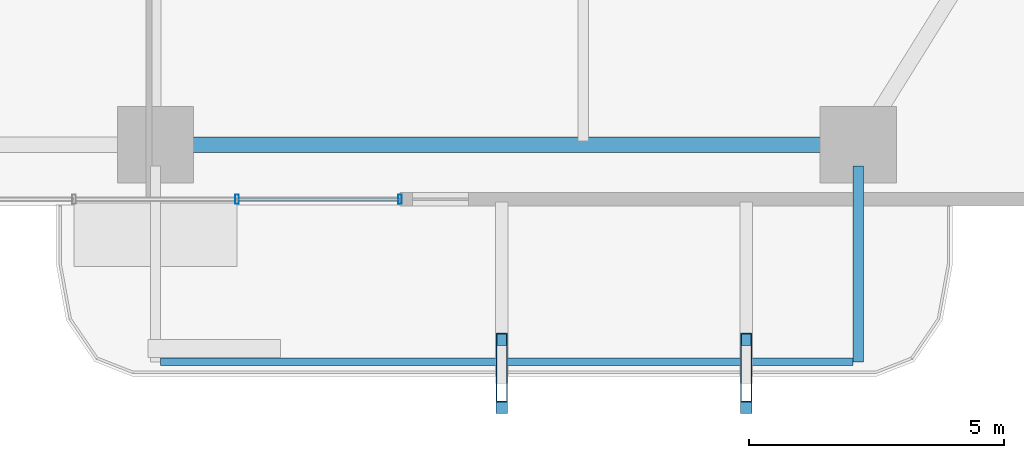
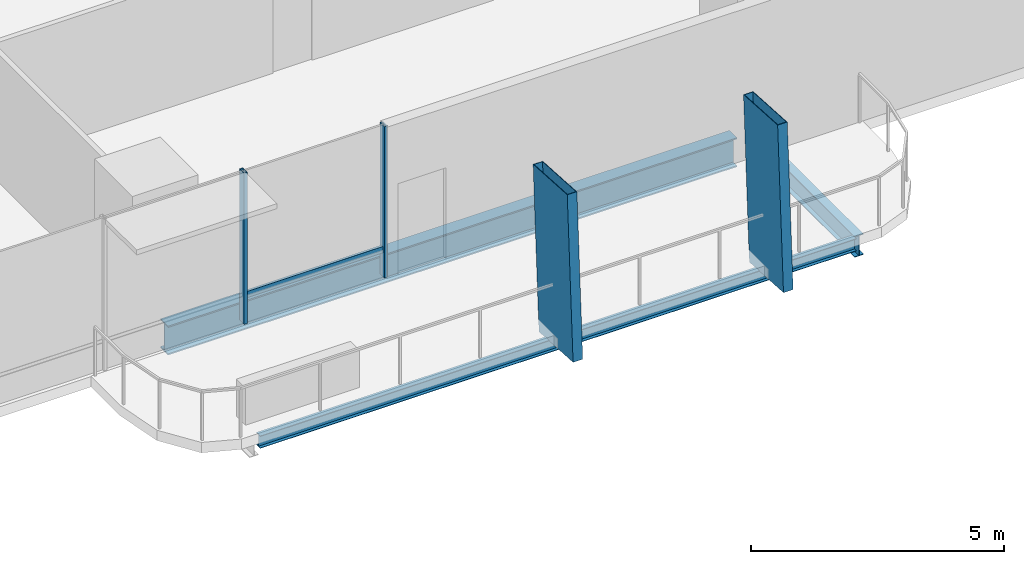
# One storey, part 6 of 24: 5 members, 3 beams, 1 element without a shape of its own.
"""IFC4 building model written with IfcOpenShell, lengths in metres."""

from ifc_helpers import new_model, si_unit, direction, frame, origin, origin_2d, place, context, subcontext, project, spatial, hollow_rectangle, i_section, extrude, material, layer, layer_set, material_profile, profile_set, type_object, element, aggregate, save


model = new_model("IFC4")

# Units and contexts
model_context = context("Model", 3, precision=1e-05, world=origin(), true_north=direction((0.0, 1.0)))
body_context = subcontext(model_context, "Body", "Model", "MODEL_VIEW")
ifc_project = project(units=[si_unit("LENGTHUNIT", "METRE"), si_unit("AREAUNIT", "SQUARE_METRE"), si_unit("VOLUMEUNIT", "CUBIC_METRE"), si_unit("PLANEANGLEUNIT", "RADIAN"), si_unit("MASSUNIT", "GRAM", prefix="KILO")], contexts=[model_context])

# Site, building, storey
site_placement = place(None, origin())
site = spatial("IfcSite", under=ifc_project, at=site_placement, CompositionType="ELEMENT")
building_placement = place(site_placement, origin())
building = spatial("IfcBuilding", under=site, at=building_placement, Name="Belovzor Exchange Tower", CompositionType="ELEMENT")
storey_placement = place(building_placement, frame((0.0, 0.0, 33.89990234375)))
storey = spatial("IfcBuildingStorey", under=building, at=storey_placement, Name="L07", CompositionType="ELEMENT", Elevation=33.89990234375)

# Members
ifc_material_1 = material(Name="Extruded Architectural Terracotta on Steel S355 Carrier", Category="masonry")
ifc_material_profile_1 = material_profile(ifc_material_1, hollow_rectangle(XDim=0.219970703125, YDim=1.35009765625, WallThickness=0.013916015625, at=origin_2d()))
ifc_profile_set_1 = profile_set([ifc_material_profile_1], Name="Extruded Architectural Terracotta on Steel S355 Carrier")
member_type_1 = type_object("IfcMemberType", Name="Base Arc Sweeping Terracotta Pylon Fin 1450", PredefinedType="USERDEFINED", material=ifc_profile_set_1)
for number, where, z_axis, x_axis, name in (
    (1, (35.60009765625, -2.50390625, -0.25), (0.0, 0.059113970154, 0.998251240186), (-1.0, 0.0, 0.0), "FIN-TC145 Terracotta Facade Fin L07 S3"),
    (2, (40.39990234375, -2.50390625, -0.25), (0.0, 0.059113970154, 0.998251240186), (-1.0, 0.0, 0.0), "FIN-TC145 Terracotta Facade Fin L07 S4"),
):
    element("IfcMember", number, at=place(storey_placement, frame(where, z_axis=z_axis, x_axis=x_axis)), inside=storey, type_object=member_type_1, Name=name, ObjectType="FIN", PredefinedType="USERDEFINED", context=body_context, shape_type="SweptSolid", body=[
        extrude(hollow_rectangle(XDim=0.219970703125, YDim=1.35009765625, WallThickness=0.013916015625, at=origin_2d()), origin(), (0.0, 0.0, 1.0), 3.906982421875),
    ])

# Beams
ifc_material_2 = material(Name="Steel S355", Category="steel")
ifc_material_profile_2 = material_profile(ifc_material_2, i_section(OverallWidth=0.199951171875, OverallDepth=0.5, WebThickness=0.01025390625, FlangeThickness=0.01611328125, at=origin_2d()))
ifc_profile_set_2 = profile_set([ifc_material_profile_2], Name="Steel S355")
beam_type_1 = type_object("IfcBeamType", Name="Planted Balcony Cantilever Beam IPE 500", PredefinedType="BEAM", material=ifc_profile_set_2)
beam_1_placement = place(storey_placement, frame((42.60009765625, 1.68798828125, -0.5), z_axis=(0.0, -1.0, 0.0), x_axis=(1.0, 0.0, 0.0)))
element("IfcBeam", 3, at=beam_1_placement, inside=storey, type_object=beam_type_1, Name="BC-500 Planted Balcony Cantilever Beam IPE 500", PredefinedType="BEAM", context=body_context, shape_type="SweptSolid", body=[
    extrude(i_section(OverallWidth=0.199951171875, OverallDepth=0.5, WebThickness=0.01025390625, FlangeThickness=0.01611328125, at=origin_2d()), origin(), (0.0, 0.0, 1.0), 3.85009765625),
])
ifc_material_3 = material(Name="Steel S355", Category="steel")
ifc_material_profile_3 = material_profile(ifc_material_3, i_section(OverallWidth=0.14990234375, OverallDepth=0.300048828125, WebThickness=0.007080078125, FlangeThickness=0.0107421875, at=origin_2d()))
ifc_profile_set_3 = profile_set([ifc_material_profile_3], Name="Steel S355")
beam_type_2 = type_object("IfcBeamType", Name="Planted Balcony Fascia Edge Beam IPE 300", PredefinedType="BEAM", material=ifc_profile_set_3)
beam_2_placement = place(storey_placement, frame((28.89990234375, -2.162109375, -0.39990234375), z_axis=(1.0, 0.0, 0.0), x_axis=(0.0, 1.0, 0.0)))
element("IfcBeam", 4, at=beam_2_placement, inside=storey, type_object=beam_type_2, Name="BC-300 Planted Balcony Fascia Edge Beam IPE 300", PredefinedType="BEAM", context=body_context, shape_type="SweptSolid", body=[
    extrude(i_section(OverallWidth=0.14990234375, OverallDepth=0.300048828125, WebThickness=0.007080078125, FlangeThickness=0.0107421875, at=origin_2d()), origin(), (0.0, 0.0, 1.0), 13.60009765625),
])

# Curtain wall, members
ifc_material_4 = material(Name="Anodised Aluminium Framing", Category="aluminium")
ifc_layer = layer(ifc_material_4, 0.179931640625)
ifc_layer_set = layer_set([ifc_layer], Name="Anodised Aluminium Framing")
curtain_wall_type = type_object("IfcCurtainWallType", Name="Recessed Loggia Low-Iron Triple-Glazed Curtain Wall", PredefinedType="NOTDEFINED", material=ifc_layer_set)
curtain_wall_placement = place(storey_placement, origin())
curtain_wall = element("IfcCurtainWall", 5, at=curtain_wall_placement, inside=storey, type_object=curtain_wall_type, Name="CW3 Recessed Loggia Low-Iron Triple-Glazed Curtain Wall L07", PredefinedType="NOTDEFINED")
ifc_material_5 = material(Name="Steel S355", Category="steel")
ifc_material_profile_4 = material_profile(ifc_material_5, hollow_rectangle(XDim=0.074951171875, YDim=0.179931640625, WallThickness=0.0048828125, at=origin_2d()))
ifc_profile_set_4 = profile_set([ifc_material_profile_4], Name="Steel S355")
member_type_2 = type_object("IfcMemberType", Name="Thermally Broken Curtain Wall Mullion 180x75", PredefinedType="MULLION", material=ifc_profile_set_4)
member_1_placement = place(storey_placement, frame((33.60009765625, 1.030029296875, 0.0), z_axis=(0.0, 0.0, 1.0), x_axis=(-1.0, 0.0, 0.0)))
member_1 = element("IfcMember", 6, at=member_1_placement, type_object=member_type_2, Name="CW-M180 Curtain Wall Mullion 1", PredefinedType="MULLION", context=body_context, shape_type="SweptSolid", body=[
    extrude(hollow_rectangle(XDim=0.074951171875, YDim=0.179931640625, WallThickness=0.0048828125, at=origin_2d()), origin(), (0.0, 0.0, 1.0), 3.650146484375),
])
member_2_placement = place(storey_placement, frame((30.39990234375, 1.030029296875, 0.0), z_axis=(0.0, 0.0, 1.0), x_axis=(-1.0, 0.0, 0.0)))
member_2 = element("IfcMember", 7, at=member_2_placement, type_object=member_type_2, Name="CW-M180 Curtain Wall Mullion 2", PredefinedType="MULLION", context=body_context, shape_type="SweptSolid", body=[
    extrude(hollow_rectangle(XDim=0.074951171875, YDim=0.179931640625, WallThickness=0.0048828125, at=origin_2d()), origin(), (0.0, 0.0, 1.0), 3.650146484375),
])
ifc_material_6 = material(Name="Steel S355", Category="steel")
ifc_material_profile_5 = material_profile(ifc_material_6, hollow_rectangle(XDim=0.06005859375, YDim=0.14990234375, WallThickness=0.00390625, at=origin_2d()))
ifc_profile_set_5 = profile_set([ifc_material_profile_5], Name="Steel S355")
member_type_3 = type_object("IfcMemberType", Name="Thermally Broken Curtain Wall Transom 150x60", PredefinedType="USERDEFINED", material=ifc_profile_set_5)
member_3_placement = place(storey_placement, frame((33.592041015625, 1.030029296875, 0.650146484375), z_axis=(-1.0, 0.0, 0.0), x_axis=(0.0, -1.0, 0.0)))
member_3 = element("IfcMember", 8, at=member_3_placement, type_object=member_type_3, Name="CW-T150 Curtain Wall Transom 1", ObjectType="TRANSOM", PredefinedType="USERDEFINED", context=body_context, shape_type="SweptSolid", body=[
    extrude(hollow_rectangle(XDim=0.06005859375, YDim=0.14990234375, WallThickness=0.00390625, at=origin_2d()), origin(), (0.0, 0.0, 1.0), 3.18408203125),
])
aggregate(curtain_wall, [member_1, member_2, member_3])

# Beam
ifc_material_7 = material(Name="Steel S355", Category="steel")
ifc_material_profile_6 = material_profile(ifc_material_7, i_section(OverallWidth=0.300048828125, OverallDepth=0.699951171875, WebThickness=0.01708984375, FlangeThickness=0.031982421875, at=origin_2d()))
ifc_profile_set_6 = profile_set([ifc_material_profile_6], Name="Steel S355")
beam_type_3 = type_object("IfcBeamType", Name="Zone 1 Primary Perimeter Girder HEB 700", PredefinedType="BEAM", material=ifc_profile_set_6)
beam_3_placement = place(storey_placement, frame((29.212890625, 2.10009765625, -0.599853515625), z_axis=(1.0, 0.0, 0.0), x_axis=(0.0, 1.0, 0.0)))
element("IfcBeam", 9, at=beam_3_placement, inside=storey, type_object=beam_type_3, Name="FG-Z1 Zone 1 Primary Perimeter Girder HEB 700", PredefinedType="BEAM", context=body_context, shape_type="SweptSolid", body=[
    extrude(i_section(OverallWidth=0.300048828125, OverallDepth=0.699951171875, WebThickness=0.01708984375, FlangeThickness=0.031982421875, at=origin_2d()), origin(), (0.0, 0.0, 1.0), 12.97509765625),
])

save(model, "model.ifc")
